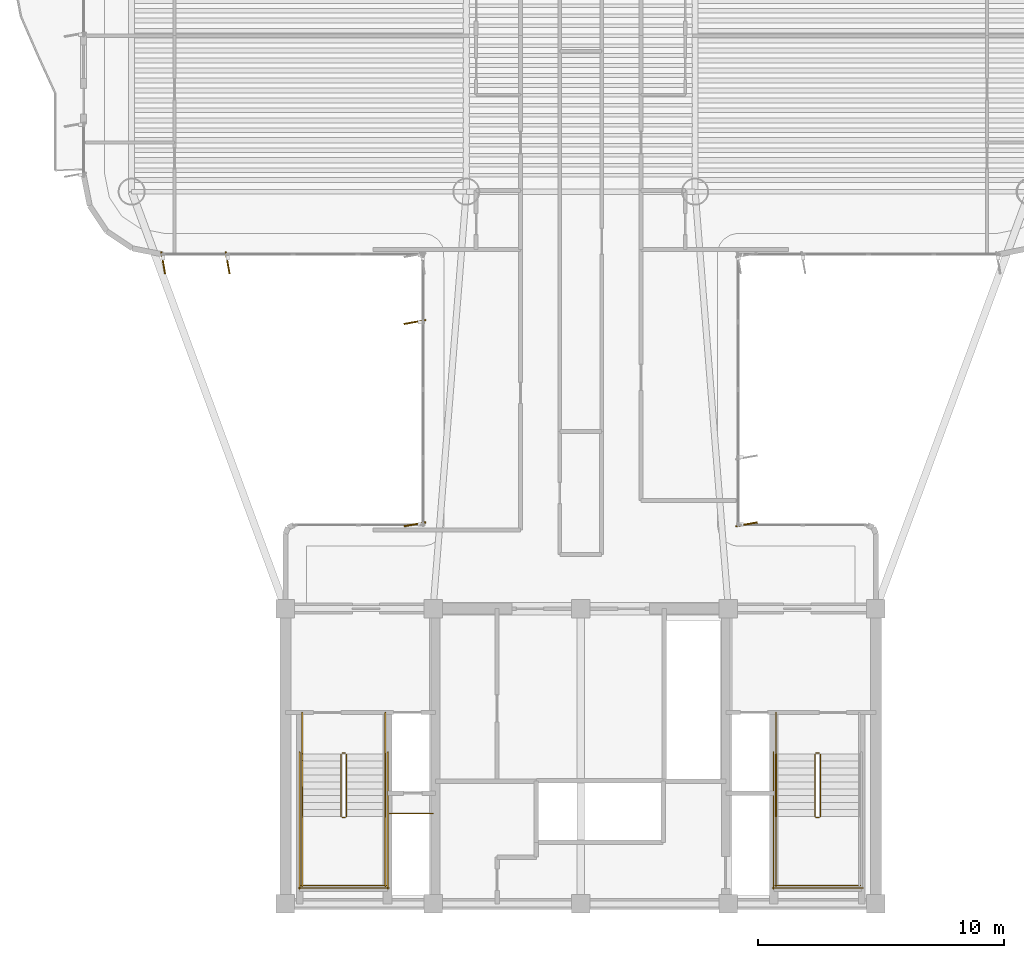
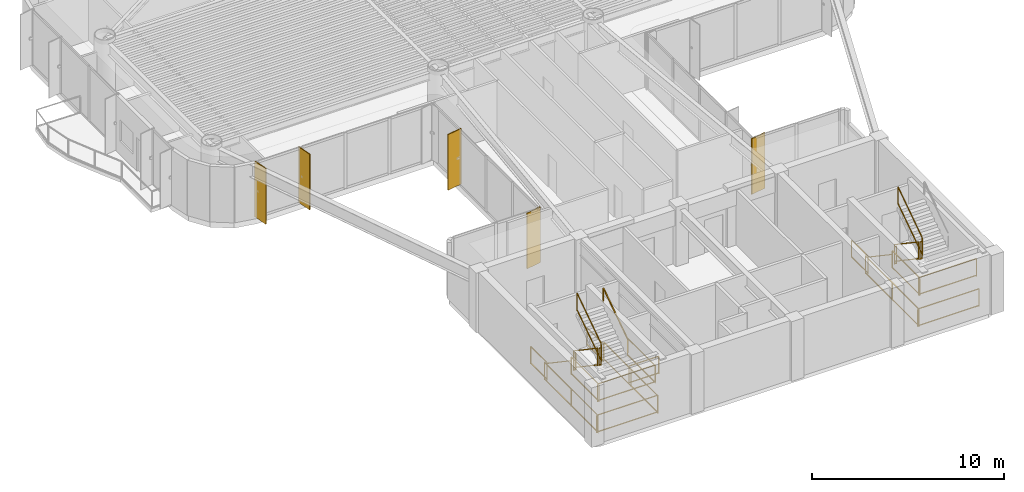
# One storey, part 14 of 15: 25 railings, 5 shading devices.
"""IFC4 building model written with IfcOpenShell, lengths in metres."""

from ifc_helpers import new_model, si_unit, direction, frame, origin, origin_2d, place, context, subcontext, project, spatial, rectangle, extrude, source, transform, mapped, material, layer, layer_set, material_profile, profile_set, type_object, element, save


model = new_model("IFC4")

# Units and contexts
model_context = context("Model", 3, precision=1e-05, world=origin(), true_north=direction((0.0, 1.0)))
body_context = subcontext(model_context, "Body", "Model", "MODEL_VIEW")
ifc_project = project(units=[si_unit("LENGTHUNIT", "METRE"), si_unit("AREAUNIT", "SQUARE_METRE"), si_unit("VOLUMEUNIT", "CUBIC_METRE"), si_unit("PLANEANGLEUNIT", "RADIAN"), si_unit("MASSUNIT", "GRAM", prefix="KILO")], contexts=[model_context])

# Site, building, storey
site_placement = place(None, origin())
site = spatial("IfcSite", under=ifc_project, at=site_placement, CompositionType="ELEMENT")
building_placement = place(site_placement, origin())
building = spatial("IfcBuilding", under=site, at=building_placement, Name="Brelvock Crest Care Tower", CompositionType="ELEMENT")
storey_placement = place(building_placement, frame((0.0, 0.0, 156.419921875)))
storey = spatial("IfcBuildingStorey", under=building, at=storey_placement, Name="L39", CompositionType="ELEMENT", Elevation=156.419921875)

# Railings
ifc_material_1 = material(Name="Steel Grade 350", Category="steel")
ifc_layer_1 = layer(ifc_material_1, 0.050048828125, Name="RL-STG1")
ifc_layer_set_1 = layer_set([ifc_layer_1], Name="Steel Grade 350")
railing_type_1 = type_object("IfcRailingType", Name="RL-STG1", PredefinedType="GUARDRAIL", material=ifc_layer_set_1)
railing_1_placement = place(storey_placement, frame((26.260009765625, 12.080078125, 0.18896484375)))
element("IfcRailing", 1, at=railing_1_placement, inside=storey, type_object=railing_type_1, Name="L39 ST-1 stair guard 1", PredefinedType="GUARDRAIL", context=body_context, shape_type="SweptSolid", body=[
    extrude(rectangle(XDim=0.048095703125, YDim=0.048095703125, at=origin_2d()), frame((0.0, -0.001708984375, 1.116943359375), z_axis=(0.0, -0.82882447046, 0.559508710537), x_axis=(1.0, 0.0, 0.0)), (0.0, 0.0, 1.0), 3.036376953125),
    extrude(rectangle(XDim=0.048095703125, YDim=0.048095703125, at=origin_2d()), frame((0.0, -0.001708984375, 0.05615234375), z_axis=(0.0, -0.82882447046, 0.559508710537), x_axis=(1.0, 0.0, 0.0)), (0.0, 0.0, 1.0), 3.036376953125),
    extrude(rectangle(XDim=0.0419921875, YDim=0.0419921875, at=origin_2d()), origin(), (0.0, 0.0, 1.0), 1.08984375),
    extrude(rectangle(XDim=0.0419921875, YDim=0.0419921875, at=origin_2d()), frame((0.0, -2.52001953125, 1.701171875)), (0.0, 0.0, 1.0), 1.08984375),
])
railing_2_placement = place(storey_placement, frame((26.31005859375, 9.510009765625, 1.89013671875)))
element("IfcRailing", 2, at=railing_2_placement, inside=storey, type_object=railing_type_1, Name="L39 ST-1 stair guard 2", PredefinedType="GUARDRAIL", context=body_context, shape_type="SweptSolid", body=[
    extrude(rectangle(XDim=0.048095703125, YDim=0.048095703125, at=origin_2d()), frame((0.001953125, 0.0, 1.11572265625), z_axis=(1.0, 0.0, 0.0), x_axis=(0.0, 1.0, 0.0)), (0.0, 0.0, 1.0), 0.115966796875),
    extrude(rectangle(XDim=0.048095703125, YDim=0.048095703125, at=origin_2d()), frame((0.001953125, 0.0, 0.054931640625), z_axis=(1.0, 0.0, 0.0), x_axis=(0.0, 1.0, 0.0)), (0.0, 0.0, 1.0), 0.115966796875),
    extrude(rectangle(XDim=0.0419921875, YDim=0.0419921875, at=origin_2d()), origin(), (0.0, 0.0, 1.0), 1.08984375),
    extrude(rectangle(XDim=0.0419921875, YDim=0.0419921875, at=origin_2d()), frame((0.119873046875, 0.0, 0.0)), (0.0, 0.0, 1.0), 1.08984375),
])
for number, where, name in (
    (3, (24.679931640625, 9.56005859375, 1.89013671875), "L39 ST-1 stair guard 3"),
    (4, (28.06005859375, 9.56005859375, 1.89013671875), "L39 ST-1 stair guard 4"),
):
    element("IfcRailing", number, at=place(storey_placement, frame(where)), inside=storey, type_object=railing_type_1, Name=name, PredefinedType="GUARDRAIL", context=body_context, shape_type="SweptSolid", body=[
        extrude(rectangle(XDim=0.048095703125, YDim=0.048095703125, at=origin_2d()), frame((0.0, -0.001953125, 1.11572265625), z_axis=(0.0, -1.0, 0.0), x_axis=(1.0, 0.0, 0.0)), (0.0, 0.0, 1.0), 2.856201171875),
        extrude(rectangle(XDim=0.048095703125, YDim=0.048095703125, at=origin_2d()), frame((0.0, -0.001953125, 0.054931640625), z_axis=(0.0, -1.0, 0.0), x_axis=(1.0, 0.0, 0.0)), (0.0, 0.0, 1.0), 2.856201171875),
        extrude(rectangle(XDim=0.0419921875, YDim=0.0419921875, at=origin_2d()), origin(), (0.0, 0.0, 1.0), 1.08984375),
        extrude(rectangle(XDim=0.0419921875, YDim=0.0419921875, at=origin_2d()), frame((0.0, -2.860107421875, 0.0)), (0.0, 0.0, 1.0), 1.08984375),
    ])
railing_3_placement = place(storey_placement, frame((24.6298828125, 6.75, 1.89013671875)))
element("IfcRailing", 5, at=railing_3_placement, inside=storey, type_object=railing_type_1, Name="L39 ST-1 stair guard 5", PredefinedType="GUARDRAIL", context=body_context, shape_type="SweptSolid", body=[
    extrude(rectangle(XDim=0.048095703125, YDim=0.048095703125, at=origin_2d()), frame((0.001953125, 0.0, 1.11572265625), z_axis=(1.0, 0.0, 0.0), x_axis=(0.0, 1.0, 0.0)), (0.0, 0.0, 1.0), 3.476318359375),
    extrude(rectangle(XDim=0.048095703125, YDim=0.048095703125, at=origin_2d()), frame((0.001953125, 0.0, 0.054931640625), z_axis=(1.0, 0.0, 0.0), x_axis=(0.0, 1.0, 0.0)), (0.0, 0.0, 1.0), 3.476318359375),
    extrude(rectangle(XDim=0.0419921875, YDim=0.0419921875, at=origin_2d()), origin(), (0.0, 0.0, 1.0), 1.08984375),
    extrude(rectangle(XDim=0.0419921875, YDim=0.0419921875, at=origin_2d()), frame((3.480224609375, 0.0, 0.0)), (0.0, 0.0, 1.0), 1.08984375),
])
railing_4_placement = place(storey_placement, frame((26.47998046875, 9.56005859375, 2.0791015625)))
element("IfcRailing", 6, at=railing_4_placement, inside=storey, type_object=railing_type_1, Name="L39 ST-1 stair guard 6", PredefinedType="GUARDRAIL", context=body_context, shape_type="SweptSolid", body=[
    extrude(rectangle(XDim=0.048095703125, YDim=0.048095703125, at=origin_2d()), frame((0.0, 0.001708984375, 1.116943359375), z_axis=(0.0, 0.828861706735, 0.559453546873), x_axis=(-1.0, 0.0, 0.0)), (0.0, 0.0, 1.0), 3.036376953125),
    extrude(rectangle(XDim=0.048095703125, YDim=0.048095703125, at=origin_2d()), frame((0.0, 0.001708984375, 0.05615234375), z_axis=(0.0, 0.828861706735, 0.559453546873), x_axis=(-1.0, 0.0, 0.0)), (0.0, 0.0, 1.0), 3.036376953125),
    extrude(rectangle(XDim=0.0419921875, YDim=0.0419921875, at=origin_2d()), origin(), (0.0, 0.0, 1.0), 1.08984375),
    extrude(rectangle(XDim=0.0419921875, YDim=0.0419921875, at=origin_2d()), frame((0.0, 2.52001953125, 1.700927734375)), (0.0, 0.0, 1.0), 1.08984375),
])
railing_5_placement = place(storey_placement, frame((26.31005859375, 12.1298828125, 0.0)))
element("IfcRailing", 7, at=railing_5_placement, inside=storey, type_object=railing_type_1, Name="L39 ST-1 stair guard 7", PredefinedType="GUARDRAIL", context=body_context, shape_type="SweptSolid", body=[
    extrude(rectangle(XDim=0.048095703125, YDim=0.048095703125, at=origin_2d()), frame((0.001953125, 0.0, 1.11572265625), z_axis=(1.0, 0.0, 0.0), x_axis=(0.0, 1.0, 0.0)), (0.0, 0.0, 1.0), 0.115966796875),
    extrude(rectangle(XDim=0.048095703125, YDim=0.048095703125, at=origin_2d()), frame((0.001953125, 0.0, 0.054931640625), z_axis=(1.0, 0.0, 0.0), x_axis=(0.0, 1.0, 0.0)), (0.0, 0.0, 1.0), 0.115966796875),
    extrude(rectangle(XDim=0.0419921875, YDim=0.0419921875, at=origin_2d()), origin(), (0.0, 0.0, 1.0), 1.08984375),
    extrude(rectangle(XDim=0.0419921875, YDim=0.0419921875, at=origin_2d()), frame((0.119873046875, 0.0, 0.0)), (0.0, 0.0, 1.0), 1.08984375),
])
for number, where, name in (
    (8, (24.679931640625, 13.780029296875, 0.0), "L39 ST-1 stair guard 8"),
    (9, (28.06005859375, 13.780029296875, 0.0), "L39 ST-1 stair guard 9"),
):
    element("IfcRailing", number, at=place(storey_placement, frame(where)), inside=storey, type_object=railing_type_1, Name=name, PredefinedType="GUARDRAIL", context=body_context, shape_type="SweptSolid", body=[
        extrude(rectangle(XDim=0.048095703125, YDim=0.048095703125, at=origin_2d()), frame((0.0, -0.001953125, 1.11572265625), z_axis=(0.0, -1.0, 0.0), x_axis=(1.0, 0.0, 0.0)), (0.0, 0.0, 1.0), 1.696044921875),
        extrude(rectangle(XDim=0.048095703125, YDim=0.048095703125, at=origin_2d()), frame((0.0, -0.001953125, 0.054931640625), z_axis=(0.0, -1.0, 0.0), x_axis=(1.0, 0.0, 0.0)), (0.0, 0.0, 1.0), 1.696044921875),
        extrude(rectangle(XDim=0.0419921875, YDim=0.0419921875, at=origin_2d()), origin(), (0.0, 0.0, 1.0), 1.08984375),
        extrude(rectangle(XDim=0.0419921875, YDim=0.0419921875, at=origin_2d()), frame((0.0, -1.699951171875, 0.0)), (0.0, 0.0, 1.0), 1.08984375),
    ])
for number, where, name in (
    (10, (24.580078125, 12.179931640625, 0.0), "L39 ST-1 stair guard 10"),
    (11, (28.159912109375, 12.179931640625, 0.0), "L39 ST-1 stair guard 11"),
):
    element("IfcRailing", number, at=place(storey_placement, frame(where)), inside=storey, type_object=railing_type_1, Name=name, PredefinedType="GUARDRAIL", context=body_context, shape_type="SweptSolid", body=[
        extrude(rectangle(XDim=0.048095703125, YDim=0.048095703125, at=origin_2d()), frame((0.0, -0.001953125, 1.11572265625), z_axis=(0.0, -1.0, 0.0), x_axis=(1.0, 0.0, 0.0)), (0.0, 0.0, 1.0), 5.575927734375),
        extrude(rectangle(XDim=0.048095703125, YDim=0.048095703125, at=origin_2d()), frame((0.0, -0.001953125, 0.054931640625), z_axis=(0.0, -1.0, 0.0), x_axis=(1.0, 0.0, 0.0)), (0.0, 0.0, 1.0), 5.575927734375),
        extrude(rectangle(XDim=0.0419921875, YDim=0.0419921875, at=origin_2d()), origin(), (0.0, 0.0, 1.0), 1.08984375),
        extrude(rectangle(XDim=0.0419921875, YDim=0.0419921875, at=origin_2d()), frame((0.0, -2.7900390625, 0.0)), (0.0, 0.0, 1.0), 1.08984375),
        extrude(rectangle(XDim=0.0419921875, YDim=0.0419921875, at=origin_2d()), frame((0.0, -5.579833984375, 0.0)), (0.0, 0.0, 1.0), 1.08984375),
    ])
railing_6_placement = place(storey_placement, frame((24.530029296875, 6.64990234375, 0.0)))
element("IfcRailing", 12, at=railing_6_placement, inside=storey, type_object=railing_type_1, Name="L39 ST-1 stair guard 12", PredefinedType="GUARDRAIL", context=body_context, shape_type="SweptSolid", body=[
    extrude(rectangle(XDim=0.048095703125, YDim=0.048095703125, at=origin_2d()), frame((0.001953125, 0.0, 1.11572265625), z_axis=(1.0, 0.0, 0.0), x_axis=(0.0, 1.0, 0.0)), (0.0, 0.0, 1.0), 3.676025390625),
    extrude(rectangle(XDim=0.048095703125, YDim=0.048095703125, at=origin_2d()), frame((0.001953125, 0.0, 0.054931640625), z_axis=(1.0, 0.0, 0.0), x_axis=(0.0, 1.0, 0.0)), (0.0, 0.0, 1.0), 3.676025390625),
    extrude(rectangle(XDim=0.0419921875, YDim=0.0419921875, at=origin_2d()), origin(), (0.0, 0.0, 1.0), 1.08984375),
    extrude(rectangle(XDim=0.0419921875, YDim=0.0419921875, at=origin_2d()), frame((3.679931640625, 0.0, 0.0)), (0.0, 0.0, 1.0), 1.08984375),
])
railing_7_placement = place(storey_placement, frame((45.52001953125, 12.080078125, 0.18896484375)))
element("IfcRailing", 13, at=railing_7_placement, inside=storey, type_object=railing_type_1, Name="L39 ST-2 stair guard 1", PredefinedType="GUARDRAIL", context=body_context, shape_type="SweptSolid", body=[
    extrude(rectangle(XDim=0.048095703125, YDim=0.048095703125, at=origin_2d()), frame((0.0, -0.001708984375, 1.116943359375), z_axis=(0.0, -0.82882447046, 0.559508710537), x_axis=(1.0, 0.0, 0.0)), (0.0, 0.0, 1.0), 3.036376953125),
    extrude(rectangle(XDim=0.048095703125, YDim=0.048095703125, at=origin_2d()), frame((0.0, -0.001708984375, 0.05615234375), z_axis=(0.0, -0.82882447046, 0.559508710537), x_axis=(1.0, 0.0, 0.0)), (0.0, 0.0, 1.0), 3.036376953125),
    extrude(rectangle(XDim=0.0419921875, YDim=0.0419921875, at=origin_2d()), origin(), (0.0, 0.0, 1.0), 1.08984375),
    extrude(rectangle(XDim=0.0419921875, YDim=0.0419921875, at=origin_2d()), frame((0.0, -2.52001953125, 1.701171875)), (0.0, 0.0, 1.0), 1.08984375),
])
railing_8_placement = place(storey_placement, frame((45.570068359375, 9.510009765625, 1.89013671875)))
element("IfcRailing", 14, at=railing_8_placement, inside=storey, type_object=railing_type_1, Name="L39 ST-2 stair guard 2", PredefinedType="GUARDRAIL", context=body_context, shape_type="SweptSolid", body=[
    extrude(rectangle(XDim=0.048095703125, YDim=0.048095703125, at=origin_2d()), frame((0.001953125, 0.0, 1.11572265625), z_axis=(1.0, 0.0, 0.0), x_axis=(0.0, 1.0, 0.0)), (0.0, 0.0, 1.0), 0.115966796875),
    extrude(rectangle(XDim=0.048095703125, YDim=0.048095703125, at=origin_2d()), frame((0.001953125, 0.0, 0.054931640625), z_axis=(1.0, 0.0, 0.0), x_axis=(0.0, 1.0, 0.0)), (0.0, 0.0, 1.0), 0.115966796875),
    extrude(rectangle(XDim=0.0419921875, YDim=0.0419921875, at=origin_2d()), origin(), (0.0, 0.0, 1.0), 1.08984375),
    extrude(rectangle(XDim=0.0419921875, YDim=0.0419921875, at=origin_2d()), frame((0.119873046875, 0.0, 0.0)), (0.0, 0.0, 1.0), 1.08984375),
])
railing_9_placement = place(storey_placement, frame((43.93994140625, 9.56005859375, 1.89013671875)))
element("IfcRailing", 15, at=railing_9_placement, inside=storey, type_object=railing_type_1, Name="L39 ST-2 stair guard 3", PredefinedType="GUARDRAIL", context=body_context, shape_type="SweptSolid", body=[
    extrude(rectangle(XDim=0.048095703125, YDim=0.048095703125, at=origin_2d()), frame((0.0, -0.001953125, 1.11572265625), z_axis=(0.0, -1.0, 0.0), x_axis=(1.0, 0.0, 0.0)), (0.0, 0.0, 1.0), 2.856201171875),
    extrude(rectangle(XDim=0.048095703125, YDim=0.048095703125, at=origin_2d()), frame((0.0, -0.001953125, 0.054931640625), z_axis=(0.0, -1.0, 0.0), x_axis=(1.0, 0.0, 0.0)), (0.0, 0.0, 1.0), 2.856201171875),
    extrude(rectangle(XDim=0.0419921875, YDim=0.0419921875, at=origin_2d()), origin(), (0.0, 0.0, 1.0), 1.08984375),
    extrude(rectangle(XDim=0.0419921875, YDim=0.0419921875, at=origin_2d()), frame((0.0, -2.860107421875, 0.0)), (0.0, 0.0, 1.0), 1.08984375),
])
railing_10_placement = place(storey_placement, frame((43.889892578125, 6.75, 1.89013671875)))
element("IfcRailing", 16, at=railing_10_placement, inside=storey, type_object=railing_type_1, Name="L39 ST-2 stair guard 5", PredefinedType="GUARDRAIL", context=body_context, shape_type="SweptSolid", body=[
    extrude(rectangle(XDim=0.048095703125, YDim=0.048095703125, at=origin_2d()), frame((0.001953125, 0.0, 1.11572265625), z_axis=(1.0, 0.0, 0.0), x_axis=(0.0, 1.0, 0.0)), (0.0, 0.0, 1.0), 3.476318359375),
    extrude(rectangle(XDim=0.048095703125, YDim=0.048095703125, at=origin_2d()), frame((0.001953125, 0.0, 0.054931640625), z_axis=(1.0, 0.0, 0.0), x_axis=(0.0, 1.0, 0.0)), (0.0, 0.0, 1.0), 3.476318359375),
    extrude(rectangle(XDim=0.0419921875, YDim=0.0419921875, at=origin_2d()), origin(), (0.0, 0.0, 1.0), 1.08984375),
    extrude(rectangle(XDim=0.0419921875, YDim=0.0419921875, at=origin_2d()), frame((3.480224609375, 0.0, 0.0)), (0.0, 0.0, 1.0), 1.08984375),
])
railing_11_placement = place(storey_placement, frame((45.739990234375, 9.56005859375, 2.0791015625)))
element("IfcRailing", 17, at=railing_11_placement, inside=storey, type_object=railing_type_1, Name="L39 ST-2 stair guard 6", PredefinedType="GUARDRAIL", context=body_context, shape_type="SweptSolid", body=[
    extrude(rectangle(XDim=0.048095703125, YDim=0.048095703125, at=origin_2d()), frame((0.0, 0.001708984375, 1.116943359375), z_axis=(0.0, 0.828861706735, 0.559453546873), x_axis=(-1.0, 0.0, 0.0)), (0.0, 0.0, 1.0), 3.036376953125),
    extrude(rectangle(XDim=0.048095703125, YDim=0.048095703125, at=origin_2d()), frame((0.0, 0.001708984375, 0.05615234375), z_axis=(0.0, 0.828861706735, 0.559453546873), x_axis=(-1.0, 0.0, 0.0)), (0.0, 0.0, 1.0), 3.036376953125),
    extrude(rectangle(XDim=0.0419921875, YDim=0.0419921875, at=origin_2d()), origin(), (0.0, 0.0, 1.0), 1.08984375),
    extrude(rectangle(XDim=0.0419921875, YDim=0.0419921875, at=origin_2d()), frame((0.0, 2.52001953125, 1.700927734375)), (0.0, 0.0, 1.0), 1.08984375),
])
railing_12_placement = place(storey_placement, frame((45.570068359375, 12.1298828125, 0.0)))
element("IfcRailing", 18, at=railing_12_placement, inside=storey, type_object=railing_type_1, Name="L39 ST-2 stair guard 7", PredefinedType="GUARDRAIL", context=body_context, shape_type="SweptSolid", body=[
    extrude(rectangle(XDim=0.048095703125, YDim=0.048095703125, at=origin_2d()), frame((0.001953125, 0.0, 1.11572265625), z_axis=(1.0, 0.0, 0.0), x_axis=(0.0, 1.0, 0.0)), (0.0, 0.0, 1.0), 0.115966796875),
    extrude(rectangle(XDim=0.048095703125, YDim=0.048095703125, at=origin_2d()), frame((0.001953125, 0.0, 0.054931640625), z_axis=(1.0, 0.0, 0.0), x_axis=(0.0, 1.0, 0.0)), (0.0, 0.0, 1.0), 0.115966796875),
    extrude(rectangle(XDim=0.0419921875, YDim=0.0419921875, at=origin_2d()), origin(), (0.0, 0.0, 1.0), 1.08984375),
    extrude(rectangle(XDim=0.0419921875, YDim=0.0419921875, at=origin_2d()), frame((0.119873046875, 0.0, 0.0)), (0.0, 0.0, 1.0), 1.08984375),
])
railing_13_placement = place(storey_placement, frame((43.93994140625, 13.780029296875, 0.0)))
element("IfcRailing", 19, at=railing_13_placement, inside=storey, type_object=railing_type_1, Name="L39 ST-2 stair guard 8", PredefinedType="GUARDRAIL", context=body_context, shape_type="SweptSolid", body=[
    extrude(rectangle(XDim=0.048095703125, YDim=0.048095703125, at=origin_2d()), frame((0.0, -0.001953125, 1.11572265625), z_axis=(0.0, -1.0, 0.0), x_axis=(1.0, 0.0, 0.0)), (0.0, 0.0, 1.0), 1.696044921875),
    extrude(rectangle(XDim=0.048095703125, YDim=0.048095703125, at=origin_2d()), frame((0.0, -0.001953125, 0.054931640625), z_axis=(0.0, -1.0, 0.0), x_axis=(1.0, 0.0, 0.0)), (0.0, 0.0, 1.0), 1.696044921875),
    extrude(rectangle(XDim=0.0419921875, YDim=0.0419921875, at=origin_2d()), origin(), (0.0, 0.0, 1.0), 1.08984375),
    extrude(rectangle(XDim=0.0419921875, YDim=0.0419921875, at=origin_2d()), frame((0.0, -1.699951171875, 0.0)), (0.0, 0.0, 1.0), 1.08984375),
])
railing_14_placement = place(storey_placement, frame((43.840087890625, 12.179931640625, 0.0)))
element("IfcRailing", 20, at=railing_14_placement, inside=storey, type_object=railing_type_1, Name="L39 ST-2 stair guard 10", PredefinedType="GUARDRAIL", context=body_context, shape_type="SweptSolid", body=[
    extrude(rectangle(XDim=0.048095703125, YDim=0.048095703125, at=origin_2d()), frame((0.0, -0.001953125, 1.11572265625), z_axis=(0.0, -1.0, 0.0), x_axis=(1.0, 0.0, 0.0)), (0.0, 0.0, 1.0), 5.575927734375),
    extrude(rectangle(XDim=0.048095703125, YDim=0.048095703125, at=origin_2d()), frame((0.0, -0.001953125, 0.054931640625), z_axis=(0.0, -1.0, 0.0), x_axis=(1.0, 0.0, 0.0)), (0.0, 0.0, 1.0), 5.575927734375),
    extrude(rectangle(XDim=0.0419921875, YDim=0.0419921875, at=origin_2d()), origin(), (0.0, 0.0, 1.0), 1.08984375),
    extrude(rectangle(XDim=0.0419921875, YDim=0.0419921875, at=origin_2d()), frame((0.0, -2.7900390625, 0.0)), (0.0, 0.0, 1.0), 1.08984375),
    extrude(rectangle(XDim=0.0419921875, YDim=0.0419921875, at=origin_2d()), frame((0.0, -5.579833984375, 0.0)), (0.0, 0.0, 1.0), 1.08984375),
])
railing_15_placement = place(storey_placement, frame((43.7900390625, 6.64990234375, 0.0)))
element("IfcRailing", 21, at=railing_15_placement, inside=storey, type_object=railing_type_1, Name="L39 ST-2 stair guard 12", PredefinedType="GUARDRAIL", context=body_context, shape_type="SweptSolid", body=[
    extrude(rectangle(XDim=0.048095703125, YDim=0.048095703125, at=origin_2d()), frame((0.001953125, 0.0, 1.11572265625), z_axis=(1.0, 0.0, 0.0), x_axis=(0.0, 1.0, 0.0)), (0.0, 0.0, 1.0), 3.676025390625),
    extrude(rectangle(XDim=0.048095703125, YDim=0.048095703125, at=origin_2d()), frame((0.001953125, 0.0, 0.054931640625), z_axis=(1.0, 0.0, 0.0), x_axis=(0.0, 1.0, 0.0)), (0.0, 0.0, 1.0), 3.676025390625),
    extrude(rectangle(XDim=0.0419921875, YDim=0.0419921875, at=origin_2d()), origin(), (0.0, 0.0, 1.0), 1.08984375),
    extrude(rectangle(XDim=0.0419921875, YDim=0.0419921875, at=origin_2d()), frame((3.679931640625, 0.0, 0.0)), (0.0, 0.0, 1.0), 1.08984375),
])
railing_16_placement = place(storey_placement, frame((28.219970703125, 9.679931640625, 0.0)))
element("IfcRailing", 22, at=railing_16_placement, inside=storey, type_object=railing_type_1, Name="L39 Fire Riser Threshold Guard", PredefinedType="GUARDRAIL", context=body_context, shape_type="SweptSolid", body=[
    extrude(rectangle(XDim=0.048095703125, YDim=0.048095703125, at=origin_2d()), frame((0.001953125, 0.0, 1.11572265625), z_axis=(1.0, 0.0, 0.0), x_axis=(0.0, 1.0, 0.0)), (0.0, 0.0, 1.0), 1.776123046875),
    extrude(rectangle(XDim=0.048095703125, YDim=0.048095703125, at=origin_2d()), frame((0.001953125, 0.0, 0.054931640625), z_axis=(1.0, 0.0, 0.0), x_axis=(0.0, 1.0, 0.0)), (0.0, 0.0, 1.0), 1.776123046875),
    extrude(rectangle(XDim=0.0419921875, YDim=0.0419921875, at=origin_2d()), origin(), (0.0, 0.0, 1.0), 1.08984375),
    extrude(rectangle(XDim=0.0419921875, YDim=0.0419921875, at=origin_2d()), frame((1.780029296875, 0.0, 0.0)), (0.0, 0.0, 1.0), 1.08984375),
])
ifc_layer_2 = layer(ifc_material_1, 0.048095703125, Name="RL-STH1")
ifc_layer_set_2 = layer_set([ifc_layer_2], Name="Steel Grade 350")
railing_type_2 = type_object("IfcRailingType", Name="RL-STH1", PredefinedType="HANDRAIL", material=ifc_layer_set_2)
railing_17_placement = place(storey_placement, frame((24.679931640625, 12.080078125, 0.18896484375)))
element("IfcRailing", 23, at=railing_17_placement, inside=storey, type_object=railing_type_2, Name="L39 ST-1 stair handrail 1", PredefinedType="HANDRAIL", context=body_context, shape_type="SweptSolid", body=[
    extrude(rectangle(XDim=0.048095703125, YDim=0.048095703125, at=origin_2d()), frame((0.0, -0.001708984375, 0.876953125), z_axis=(0.0, -0.82882447046, 0.559508710537), x_axis=(1.0, 0.0, 0.0)), (0.0, 0.0, 1.0), 3.036376953125),
    extrude(rectangle(XDim=0.0419921875, YDim=0.0419921875, at=origin_2d()), origin(), (0.0, 0.0, 1.0), 0.849853515625),
    extrude(rectangle(XDim=0.0419921875, YDim=0.0419921875, at=origin_2d()), frame((0.0, -2.52001953125, 1.701171875)), (0.0, 0.0, 1.0), 0.849853515625),
])
railing_18_placement = place(storey_placement, frame((28.06005859375, 9.56005859375, 2.0791015625)))
element("IfcRailing", 24, at=railing_18_placement, inside=storey, type_object=railing_type_2, Name="L39 ST-1 stair handrail 2", PredefinedType="HANDRAIL", context=body_context, shape_type="SweptSolid", body=[
    extrude(rectangle(XDim=0.048095703125, YDim=0.048095703125, at=origin_2d()), frame((0.0, 0.001708984375, 0.876953125), z_axis=(0.0, 0.828861706735, 0.559453546873), x_axis=(-1.0, 0.0, 0.0)), (0.0, 0.0, 1.0), 3.036376953125),
    extrude(rectangle(XDim=0.0419921875, YDim=0.0419921875, at=origin_2d()), origin(), (0.0, 0.0, 1.0), 0.849853515625),
    extrude(rectangle(XDim=0.0419921875, YDim=0.0419921875, at=origin_2d()), frame((0.0, 2.52001953125, 1.700927734375)), (0.0, 0.0, 1.0), 0.849853515625),
])
railing_19_placement = place(storey_placement, frame((43.93994140625, 12.080078125, 0.18896484375)))
element("IfcRailing", 25, at=railing_19_placement, inside=storey, type_object=railing_type_2, Name="L39 ST-2 stair handrail 1", PredefinedType="HANDRAIL", context=body_context, shape_type="SweptSolid", body=[
    extrude(rectangle(XDim=0.048095703125, YDim=0.048095703125, at=origin_2d()), frame((0.0, -0.001708984375, 0.876953125), z_axis=(0.0, -0.82882447046, 0.559508710537), x_axis=(1.0, 0.0, 0.0)), (0.0, 0.0, 1.0), 3.036376953125),
    extrude(rectangle(XDim=0.0419921875, YDim=0.0419921875, at=origin_2d()), origin(), (0.0, 0.0, 1.0), 0.849853515625),
    extrude(rectangle(XDim=0.0419921875, YDim=0.0419921875, at=origin_2d()), frame((0.0, -2.52001953125, 1.701171875)), (0.0, 0.0, 1.0), 0.849853515625),
])

# Shading devices
ifc_material_2 = material(Name="Aluminium 6063-T6", Category="aluminium")
ifc_material_profile = material_profile(ifc_material_2, rectangle(XDim=0.054931640625, YDim=0.89990234375, at=origin_2d()), Name="FIN55x900")
ifc_profile_set = profile_set([ifc_material_profile], Name="Aluminium 6063-T6")
shading_device_type = type_object("IfcShadingDeviceType", Name="SHD-FIN1", PredefinedType="USERDEFINED", material=ifc_profile_set)
shared_shape = source(origin(), body_context, "Body", "SweptSolid", [
    extrude(rectangle(XDim=0.054931640625, YDim=0.89990234375, at=origin_2d()), origin(), (0.0, 0.0, 1.0), 3.530029296875),
])
for number, where, z_axis, x_axis, name in (
    (26, (29.260009765625, 21.429931640625, 0.0), (0.0, 0.0, 1.0), (-0.173648177667, 0.984807753012, 0.0), "L39 Vertical Sunshade Fin E11-01"),
    (27, (29.260009765625, 29.64990234375, 0.0), (0.0, 0.0, 1.0), (-0.173648177667, 0.984807753012, 0.0), "L39 Vertical Sunshade Fin E11-04"),
    (28, (21.64990234375, 32.06005859375, 0.0), (0.0, 0.0, 1.0), (-0.984807753012, -0.173648177667, 0.0), "L39 Vertical Sunshade Fin E12-04"),
    (29, (19.030029296875, 32.06005859375, 0.0), (0.0, 0.0, 1.0), (-0.984807753012, -0.173648177667, 0.0), "L39 Vertical Sunshade Fin E12-05"),
    (30, (42.739990234375, 21.429931640625, 0.0), (0.0, 0.0, 1.0), (0.173648177667, -0.984807753012, 0.0), "L39 Vertical Sunshade Fin E45-05"),
):
    element("IfcShadingDevice", number, at=place(storey_placement, frame(where, z_axis=z_axis, x_axis=x_axis)), inside=storey, type_object=shading_device_type, Name=name, ObjectType="FIN", PredefinedType="USERDEFINED", context=body_context, shape_type="MappedRepresentation", body=[
        mapped(shared_shape, transform((0.0, 0.0, 0.0), x_axis=(1.0, 0.0, 0.0), y_axis=(0.0, 1.0, 0.0), z_axis=(0.0, 0.0, 1.0), scale=1.0)),
    ])

save(model, "model.ifc")
